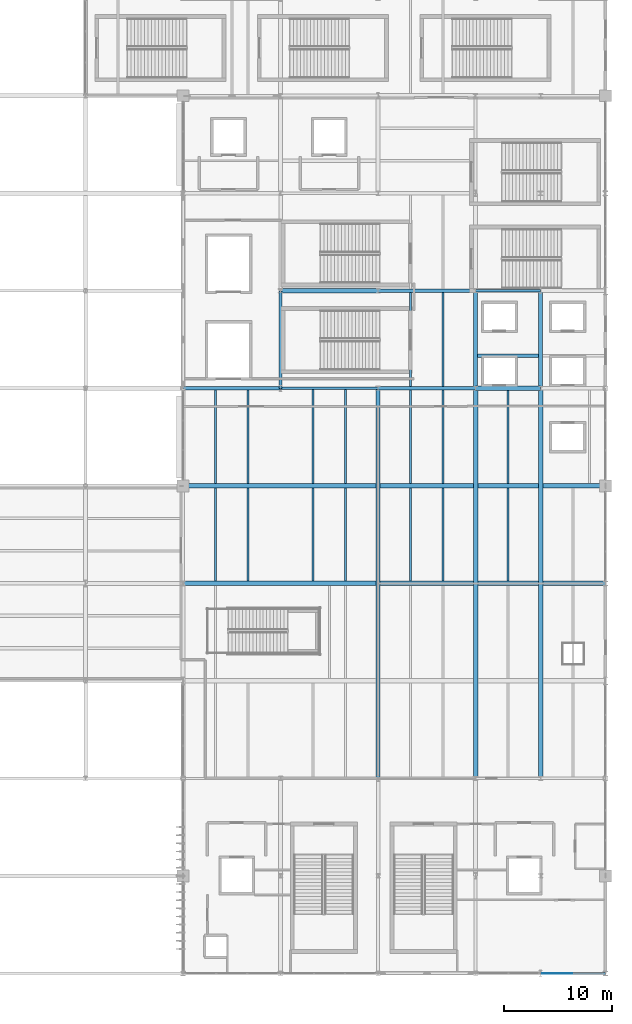
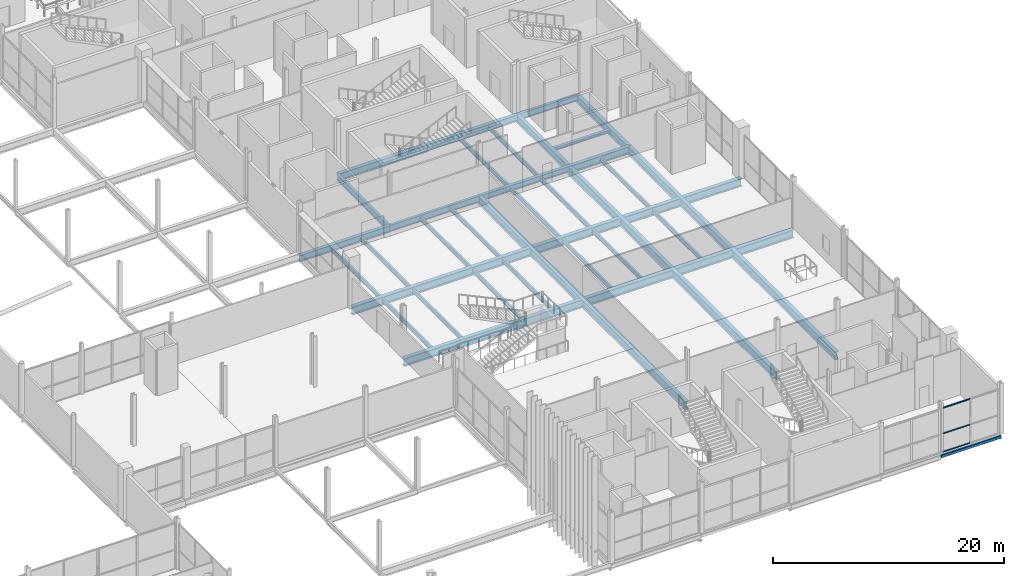
# One storey, part 50 of 119: 33 beams, 3 members, 1 element without a shape of its own.
"""IFC4 building model written with IfcOpenShell, lengths in metres."""

from ifc_helpers import new_model, si_unit, direction, frame, origin, origin_2d, place, context, subcontext, project, spatial, rectangle, hollow_rectangle, i_section, extrude, material, layer, layer_set, material_profile, profile_set, type_object, element, aggregate, save


model = new_model("IFC4")

# Units and contexts
model_context = context("Model", 3, precision=1e-05, world=origin(), true_north=direction((0.0, 1.0)))
body_context = subcontext(model_context, "Body", "Model", "MODEL_VIEW")
ifc_project = project(units=[si_unit("LENGTHUNIT", "METRE"), si_unit("AREAUNIT", "SQUARE_METRE"), si_unit("VOLUMEUNIT", "CUBIC_METRE"), si_unit("PLANEANGLEUNIT", "RADIAN"), si_unit("MASSUNIT", "GRAM", prefix="KILO")], contexts=[model_context])

# Site, building, storey
site_placement = place(None, origin())
site = spatial("IfcSite", under=ifc_project, at=site_placement, CompositionType="ELEMENT")
building_placement = place(site_placement, origin())
building = spatial("IfcBuilding", under=site, at=building_placement, Name="Qamarlyn Nura Convention Centre", CompositionType="ELEMENT")
storey_placement = place(building_placement, frame((0.0, 0.0, 5.39990234375)))
storey = spatial("IfcBuildingStorey", under=building, at=storey_placement, Name="L01", CompositionType="ELEMENT", Elevation=5.39990234375)

# Beams
ifc_material_1 = material(Name="Steel ASTM A992", Category="steel")
ifc_material_profile_1 = material_profile(ifc_material_1, i_section(OverallWidth=0.323974609375, OverallDepth=0.611083984375, WebThickness=0.0126953125, FlangeThickness=0.01904296875, FilletRadius=0.01611328125, at=origin_2d()), Name="W610X155")
ifc_profile_set_1 = profile_set([ifc_material_profile_1], Name="Steel ASTM A992")
beam_type_1 = type_object("IfcBeamType", Name="BM-GIRD-610", PredefinedType="BEAM", material=ifc_profile_set_1)
beam_1_placement = place(storey_placement, frame((171.0, 54.0, -0.525390625), z_axis=(1.0, 0.0, 0.0), x_axis=(0.0, 1.0, 0.0)))
element("IfcBeam", 1, at=beam_1_placement, inside=storey, type_object=beam_type_1, Name="L01 girder G 15-16", PredefinedType="BEAM", context=body_context, shape_type="SweptSolid", body=[
    extrude(i_section(OverallWidth=0.323974609375, OverallDepth=0.611083984375, WebThickness=0.0126953125, FlangeThickness=0.01904296875, FilletRadius=0.01611328125, at=origin_2d()), origin(), (0.0, 0.0, 1.0), 9.0),
])
ifc_material_profile_2 = material_profile(ifc_material_1, i_section(OverallWidth=0.35498046875, OverallDepth=0.695068359375, WebThickness=0.015380859375, FlangeThickness=0.02490234375, FilletRadius=0.01806640625, at=origin_2d()), Name="W690X217")
ifc_profile_set_2 = profile_set([ifc_material_profile_2], Name="Steel ASTM A992")
beam_type_2 = type_object("IfcBeamType", Name="BM-GIRD-690A", PredefinedType="BEAM", material=ifc_profile_set_2)
for number, where, z_axis, x_axis, name in (
    (2, (153.0, 54.0, -0.5673828125), (1.0, 0.0, 0.0), (0.0, 1.0, 0.0), "L01 girder G 13-14"),
    (3, (171.0, 63.0, -0.5673828125), (1.0, 0.0, 0.0), (0.0, 1.0, 0.0), "L01 girder H 15-16"),
):
    element("IfcBeam", number, at=place(storey_placement, frame(where, z_axis=z_axis, x_axis=x_axis)), inside=storey, type_object=beam_type_2, Name=name, PredefinedType="BEAM", context=body_context, shape_type="SweptSolid", body=[
        extrude(i_section(OverallWidth=0.35498046875, OverallDepth=0.695068359375, WebThickness=0.015380859375, FlangeThickness=0.02490234375, FilletRadius=0.01806640625, at=origin_2d()), origin(), (0.0, 0.0, 1.0), 9.0),
    ])
ifc_material_profile_3 = material_profile(ifc_material_1, i_section(OverallWidth=0.25390625, OverallDepth=0.68408203125, WebThickness=0.012451171875, FlangeThickness=0.01904296875, FilletRadius=0.01806640625, at=origin_2d()), Name="W690X140")
ifc_profile_set_3 = profile_set([ifc_material_profile_3], Name="Steel ASTM A992")
beam_type_3 = type_object("IfcBeamType", Name="BM-GIRD-690B", PredefinedType="BEAM", material=ifc_profile_set_3)
beam_2_placement = place(storey_placement, frame((162.0, 54.0, -0.56201171875), z_axis=(1.0, 0.0, 0.0), x_axis=(0.0, 1.0, 0.0)))
element("IfcBeam", 4, at=beam_2_placement, inside=storey, type_object=beam_type_3, Name="L01 girder G 14-15", PredefinedType="BEAM", context=body_context, shape_type="SweptSolid", body=[
    extrude(i_section(OverallWidth=0.25390625, OverallDepth=0.68408203125, WebThickness=0.012451171875, FlangeThickness=0.01904296875, FilletRadius=0.01806640625, at=origin_2d()), origin(), (0.0, 0.0, 1.0), 9.0),
])
beam_3_placement = place(storey_placement, frame((180.0, 63.0, -0.56201171875), z_axis=(1.0, 0.0, 0.0), x_axis=(0.0, 1.0, 0.0)))
element("IfcBeam", 5, at=beam_3_placement, inside=storey, type_object=beam_type_3, Name="L01 girder H 16-17", PredefinedType="BEAM", context=body_context, shape_type="SweptSolid", body=[
    extrude(i_section(OverallWidth=0.25390625, OverallDepth=0.68408203125, WebThickness=0.012451171875, FlangeThickness=0.01904296875, FilletRadius=0.01806640625, at=origin_2d()), origin(), (0.0, 0.0, 1.0), 6.0),
])
beam_4_placement = place(storey_placement, frame((162.0, 54.0, -0.56201171875), z_axis=(0.0, 1.0, 0.0), x_axis=(-1.0, 0.0, 0.0)))
element("IfcBeam", 6, at=beam_4_placement, inside=storey, type_object=beam_type_3, Name="L01 girder 14 G-H", PredefinedType="BEAM", context=body_context, shape_type="SweptSolid", body=[
    extrude(i_section(OverallWidth=0.25390625, OverallDepth=0.68408203125, WebThickness=0.012451171875, FlangeThickness=0.01904296875, FilletRadius=0.01806640625, at=origin_2d()), origin(), (0.0, 0.0, 1.0), 9.0),
])
ifc_material_profile_4 = material_profile(ifc_material_1, i_section(OverallWidth=0.381103515625, OverallDepth=0.77294921875, WebThickness=0.0166015625, FlangeThickness=0.027587890625, FilletRadius=0.02001953125, at=origin_2d()), Name="W760X257")
ifc_profile_set_4 = profile_set([ifc_material_profile_4], Name="Steel ASTM A992")
beam_type_4 = type_object("IfcBeamType", Name="BM-GIRD-760", PredefinedType="BEAM", material=ifc_profile_set_4)
beam_5_placement = place(storey_placement, frame((180.0, 54.0, -0.6064453125), z_axis=(1.0, 0.0, 0.0), x_axis=(0.0, 1.0, 0.0)))
element("IfcBeam", 7, at=beam_5_placement, inside=storey, type_object=beam_type_4, Name="L01 girder G 16-17", PredefinedType="BEAM", context=body_context, shape_type="SweptSolid", body=[
    extrude(i_section(OverallWidth=0.381103515625, OverallDepth=0.77294921875, WebThickness=0.0166015625, FlangeThickness=0.027587890625, FilletRadius=0.02001953125, at=origin_2d()), origin(), (0.0, 0.0, 1.0), 6.0),
])
for number, where, z_axis, x_axis, name in (
    (8, (162.0, 63.0, -0.6064453125), (1.0, 0.0, 0.0), (0.0, 1.0, 0.0), "L01 girder H 14-15"),
    (9, (180.0, 54.0, -0.6064453125), (0.0, 1.0, 0.0), (-1.0, 0.0, 0.0), "L01 girder 16 G-H"),
    (10, (186.0, 54.0, -0.6064453125), (0.0, 1.0, 0.0), (-1.0, 0.0, 0.0), "L01 girder 17 G-H"),
):
    element("IfcBeam", number, at=place(storey_placement, frame(where, z_axis=z_axis, x_axis=x_axis)), inside=storey, type_object=beam_type_4, Name=name, PredefinedType="BEAM", context=body_context, shape_type="SweptSolid", body=[
        extrude(i_section(OverallWidth=0.381103515625, OverallDepth=0.77294921875, WebThickness=0.0166015625, FlangeThickness=0.027587890625, FilletRadius=0.02001953125, at=origin_2d()), origin(), (0.0, 0.0, 1.0), 9.0),
    ])
ifc_material_profile_5 = material_profile(ifc_material_1, i_section(OverallWidth=0.39990234375, OverallDepth=0.85498046875, WebThickness=0.018310546875, FlangeThickness=0.029296875, FilletRadius=0.02197265625, at=origin_2d()), Name="W840X299")
ifc_profile_set_5 = profile_set([ifc_material_profile_5], Name="Steel ASTM A992")
beam_type_5 = type_object("IfcBeamType", Name="BM-GIRD-840", PredefinedType="BEAM", material=ifc_profile_set_5)
for number, where, z_axis, x_axis, name in (
    (11, (153.0, 36.0, -0.6474609375), (1.0, 0.0, 0.0), (0.0, 1.0, 0.0), "L01 girder E 13-18"),
    (12, (153.0, 45.0, -0.6474609375), (1.0, 0.0, 0.0), (0.0, 1.0, 0.0), "L01 girder F 13-18"),
):
    element("IfcBeam", number, at=place(storey_placement, frame(where, z_axis=z_axis, x_axis=x_axis)), inside=storey, type_object=beam_type_5, Name=name, PredefinedType="BEAM", context=body_context, shape_type="SweptSolid", body=[
        extrude(i_section(OverallWidth=0.39990234375, OverallDepth=0.85498046875, WebThickness=0.018310546875, FlangeThickness=0.029296875, FilletRadius=0.02197265625, at=origin_2d()), origin(), (0.0, 0.0, 1.0), 39.0),
    ])
for number, where, z_axis, x_axis, name in (
    (13, (171.0, 18.0, -0.6474609375), (0.0, 1.0, 0.0), (-1.0, 0.0, 0.0), "L01 girder 15 C-G"),
    (14, (180.0, 18.0, -0.6474609375), (0.0, 1.0, 0.0), (-1.0, 0.0, 0.0), "L01 girder 16 C-G"),
    (15, (186.0, 18.0, -0.6474609375), (0.0, 1.0, 0.0), (-1.0, 0.0, 0.0), "L01 girder 17 C-G"),
):
    element("IfcBeam", number, at=place(storey_placement, frame(where, z_axis=z_axis, x_axis=x_axis)), inside=storey, type_object=beam_type_5, Name=name, PredefinedType="BEAM", context=body_context, shape_type="SweptSolid", body=[
        extrude(i_section(OverallWidth=0.39990234375, OverallDepth=0.85498046875, WebThickness=0.018310546875, FlangeThickness=0.029296875, FilletRadius=0.02197265625, at=origin_2d()), origin(), (0.0, 0.0, 1.0), 36.0),
    ])
ifc_material_profile_6 = material_profile(ifc_material_1, i_section(OverallWidth=0.304931640625, OverallDepth=0.30810546875, WebThickness=0.010009765625, FlangeThickness=0.015380859375, FilletRadius=0.014892578125, at=origin_2d()), Name="W310X97")
ifc_profile_set_6 = profile_set([ifc_material_profile_6], Name="Steel ASTM A992")
beam_type_6 = type_object("IfcBeamType", Name="BM-JOIST-310", PredefinedType="JOIST", material=ifc_profile_set_6)
beam_6_placement = place(storey_placement, frame((180.1904296875, 57.0, -0.3740234375), z_axis=(1.0, 0.0, 0.0), x_axis=(0.0, 1.0, 0.0)))
element("IfcBeam", 16, at=beam_6_placement, inside=storey, type_object=beam_type_6, Name="L01 composite joist 16-17/G+1", PredefinedType="JOIST", context=body_context, shape_type="SweptSolid", body=[
    extrude(i_section(OverallWidth=0.304931640625, OverallDepth=0.30810546875, WebThickness=0.010009765625, FlangeThickness=0.015380859375, FilletRadius=0.014892578125, at=origin_2d()), origin(), (0.0, 0.0, 1.0), 5.619140625),
])
ifc_material_profile_7 = material_profile(ifc_material_1, i_section(OverallWidth=0.18994140625, OverallDepth=0.45703125, WebThickness=0.009033203125, FlangeThickness=0.014404296875, FilletRadius=0.012939453125, at=origin_2d()), Name="W460X74")
ifc_profile_set_7 = profile_set([ifc_material_profile_7], Name="Steel ASTM A992")
beam_type_7 = type_object("IfcBeamType", Name="BM-JOIST-460", PredefinedType="JOIST", material=ifc_profile_set_7)
for number, where, z_axis, x_axis, name in (
    (17, (156.0, 36.199951171875, -0.448486328125), (0.0, 1.0, 0.0), (-1.0, 0.0, 0.0), "L01 secondary joist 13-14/E-F-08"),
    (18, (159.0, 36.199951171875, -0.448486328125), (0.0, 1.0, 0.0), (-1.0, 0.0, 0.0), "L01 secondary joist 13-14/E-F-09"),
):
    element("IfcBeam", number, at=place(storey_placement, frame(where, z_axis=z_axis, x_axis=x_axis)), inside=storey, type_object=beam_type_7, Name=name, PredefinedType="JOIST", context=body_context, shape_type="SweptSolid", body=[
        extrude(i_section(OverallWidth=0.18994140625, OverallDepth=0.45703125, WebThickness=0.009033203125, FlangeThickness=0.014404296875, FilletRadius=0.012939453125, at=origin_2d()), origin(), (0.0, 0.0, 1.0), 8.60009765625),
    ])
for number, where, z_axis, x_axis, name in (
    (19, (156.0, 45.199951171875, -0.448486328125), (0.0, 1.0, 0.0), (-1.0, 0.0, 0.0), "L01 secondary joist 13-14/F-G-10"),
    (20, (159.0, 45.199951171875, -0.448486328125), (0.0, 1.0, 0.0), (-1.0, 0.0, 0.0), "L01 secondary joist 13-14/F-G-11"),
):
    element("IfcBeam", number, at=place(storey_placement, frame(where, z_axis=z_axis, x_axis=x_axis)), inside=storey, type_object=beam_type_7, Name=name, PredefinedType="JOIST", context=body_context, shape_type="SweptSolid", body=[
        extrude(i_section(OverallWidth=0.18994140625, OverallDepth=0.45703125, WebThickness=0.009033203125, FlangeThickness=0.014404296875, FilletRadius=0.012939453125, at=origin_2d()), origin(), (0.0, 0.0, 1.0), 8.62255859375),
    ])
for number, where, z_axis, x_axis, name in (
    (21, (165.0, 36.199951171875, -0.448486328125), (0.0, 1.0, 0.0), (-1.0, 0.0, 0.0), "L01 secondary joist 14-15/E-F-18"),
    (22, (168.0, 36.199951171875, -0.448486328125), (0.0, 1.0, 0.0), (-1.0, 0.0, 0.0), "L01 secondary joist 14-15/E-F-19"),
):
    element("IfcBeam", number, at=place(storey_placement, frame(where, z_axis=z_axis, x_axis=x_axis)), inside=storey, type_object=beam_type_7, Name=name, PredefinedType="JOIST", context=body_context, shape_type="SweptSolid", body=[
        extrude(i_section(OverallWidth=0.18994140625, OverallDepth=0.45703125, WebThickness=0.009033203125, FlangeThickness=0.014404296875, FilletRadius=0.012939453125, at=origin_2d()), origin(), (0.0, 0.0, 1.0), 8.60009765625),
    ])
for number, where, z_axis, x_axis, name in (
    (23, (165.0, 45.199951171875, -0.448486328125), (0.0, 1.0, 0.0), (-1.0, 0.0, 0.0), "L01 secondary joist 14-15/F-G-20"),
    (24, (168.0, 45.199951171875, -0.448486328125), (0.0, 1.0, 0.0), (-1.0, 0.0, 0.0), "L01 secondary joist 14-15/F-G-21"),
):
    element("IfcBeam", number, at=place(storey_placement, frame(where, z_axis=z_axis, x_axis=x_axis)), inside=storey, type_object=beam_type_7, Name=name, PredefinedType="JOIST", context=body_context, shape_type="SweptSolid", body=[
        extrude(i_section(OverallWidth=0.18994140625, OverallDepth=0.45703125, WebThickness=0.009033203125, FlangeThickness=0.014404296875, FilletRadius=0.012939453125, at=origin_2d()), origin(), (0.0, 0.0, 1.0), 8.673095703125),
    ])
for number, where, z_axis, x_axis, name in (
    (25, (174.0, 36.199951171875, -0.448486328125), (0.0, 1.0, 0.0), (-1.0, 0.0, 0.0), "L01 secondary joist 15-16/E-F-26"),
    (26, (177.0, 36.199951171875, -0.448486328125), (0.0, 1.0, 0.0), (-1.0, 0.0, 0.0), "L01 secondary joist 15-16/E-F-27"),
):
    element("IfcBeam", number, at=place(storey_placement, frame(where, z_axis=z_axis, x_axis=x_axis)), inside=storey, type_object=beam_type_7, Name=name, PredefinedType="JOIST", context=body_context, shape_type="SweptSolid", body=[
        extrude(i_section(OverallWidth=0.18994140625, OverallDepth=0.45703125, WebThickness=0.009033203125, FlangeThickness=0.014404296875, FilletRadius=0.012939453125, at=origin_2d()), origin(), (0.0, 0.0, 1.0), 8.60009765625),
    ])
for number, where, z_axis, x_axis, name in (
    (27, (174.0, 45.199951171875, -0.448486328125), (0.0, 1.0, 0.0), (-1.0, 0.0, 0.0), "L01 secondary joist 15-16/F-G-28"),
    (28, (177.0, 45.199951171875, -0.448486328125), (0.0, 1.0, 0.0), (-1.0, 0.0, 0.0), "L01 secondary joist 15-16/F-G-29"),
):
    element("IfcBeam", number, at=place(storey_placement, frame(where, z_axis=z_axis, x_axis=x_axis)), inside=storey, type_object=beam_type_7, Name=name, PredefinedType="JOIST", context=body_context, shape_type="SweptSolid", body=[
        extrude(i_section(OverallWidth=0.18994140625, OverallDepth=0.45703125, WebThickness=0.009033203125, FlangeThickness=0.014404296875, FilletRadius=0.012939453125, at=origin_2d()), origin(), (0.0, 0.0, 1.0), 8.637939453125),
    ])
for number, where, z_axis, x_axis, name in (
    (29, (174.0, 54.162109375, -0.448486328125), (0.0, 1.0, 0.0), (-1.0, 0.0, 0.0), "L01 secondary joist 15-16/G-H-30"),
    (30, (177.0, 54.162109375, -0.448486328125), (0.0, 1.0, 0.0), (-1.0, 0.0, 0.0), "L01 secondary joist 15-16/G-H-31"),
):
    element("IfcBeam", number, at=place(storey_placement, frame(where, z_axis=z_axis, x_axis=x_axis)), inside=storey, type_object=beam_type_7, Name=name, PredefinedType="JOIST", context=body_context, shape_type="SweptSolid", body=[
        extrude(i_section(OverallWidth=0.18994140625, OverallDepth=0.45703125, WebThickness=0.009033203125, FlangeThickness=0.014404296875, FilletRadius=0.012939453125, at=origin_2d()), origin(), (0.0, 0.0, 1.0), 8.660400390625),
    ])
beam_7_placement = place(storey_placement, frame((183.0, 36.199951171875, -0.448486328125), z_axis=(0.0, 1.0, 0.0), x_axis=(-1.0, 0.0, 0.0)))
element("IfcBeam", 31, at=beam_7_placement, inside=storey, type_object=beam_type_7, Name="L01 secondary joist 16-17/E-F-38", PredefinedType="JOIST", context=body_context, shape_type="SweptSolid", body=[
    extrude(i_section(OverallWidth=0.18994140625, OverallDepth=0.45703125, WebThickness=0.009033203125, FlangeThickness=0.014404296875, FilletRadius=0.012939453125, at=origin_2d()), origin(), (0.0, 0.0, 1.0), 8.60009765625),
])
beam_8_placement = place(storey_placement, frame((183.0, 45.199951171875, -0.448486328125), z_axis=(0.0, 1.0, 0.0), x_axis=(-1.0, 0.0, 0.0)))
element("IfcBeam", 32, at=beam_8_placement, inside=storey, type_object=beam_type_7, Name="L01 secondary joist 16-17/F-G-39", PredefinedType="JOIST", context=body_context, shape_type="SweptSolid", body=[
    extrude(i_section(OverallWidth=0.18994140625, OverallDepth=0.45703125, WebThickness=0.009033203125, FlangeThickness=0.014404296875, FilletRadius=0.012939453125, at=origin_2d()), origin(), (0.0, 0.0, 1.0), 8.609619140625),
])
ifc_material_2 = material(Name="Steel ASTM A500 Grade C", Category="steel")
ifc_material_profile_8 = material_profile(ifc_material_2, hollow_rectangle(XDim=0.199951171875, YDim=0.300048828125, WallThickness=0.012451171875, InnerFilletRadius=0.012451171875, OuterFilletRadius=0.02490234375, at=origin_2d()), Name="HSS300X200X12.5")
ifc_profile_set_8 = profile_set([ifc_material_profile_8], Name="Steel ASTM A500 Grade C")
beam_type_8 = type_object("IfcBeamType", Name="BM-SPAN-HSS", PredefinedType="SPANDREL", material=ifc_profile_set_8)
beam_9_placement = place(storey_placement, frame((186.0, 0.0, -0.369873046875), z_axis=(1.0, 0.0, 0.0), x_axis=(0.0, 1.0, 0.0)))
element("IfcBeam", 33, at=beam_9_placement, inside=storey, type_object=beam_type_8, Name="L01 girder A 17-18", PredefinedType="SPANDREL", context=body_context, shape_type="SweptSolid", body=[
    extrude(hollow_rectangle(XDim=0.199951171875, YDim=0.300048828125, WallThickness=0.012451171875, InnerFilletRadius=0.012451171875, OuterFilletRadius=0.02490234375, at=origin_2d()), origin(), (0.0, 0.0, 1.0), 6.0),
])

# Curtain wall, members
ifc_material_3 = material(Name="Double-silver low-E insulated glass", Category="glass")
ifc_layer = layer(ifc_material_3, 0.179931640625, Name="CW-UNIT-79")
ifc_layer_set = layer_set([ifc_layer], Name="Double-silver low-E insulated glass")
curtain_wall_type = type_object("IfcCurtainWallType", Name="CW-UNIT-79", PredefinedType="NOTDEFINED", material=ifc_layer_set)
curtain_wall_placement = place(storey_placement, origin())
curtain_wall = element("IfcCurtainWall", 34, at=curtain_wall_placement, inside=storey, type_object=curtain_wall_type, Name="L01 unitised curtain wall STH-5-1", PredefinedType="NOTDEFINED")
ifc_material_4 = material(Name="Champagne-anodised marine aluminium", Category="aluminium")
ifc_material_profile_9 = material_profile(ifc_material_4, rectangle(XDim=0.06494140625, YDim=0.1201171875, at=origin_2d()), Name="ALU TRANSOM 65x120")
ifc_profile_set_9 = profile_set([ifc_material_profile_9], Name="Champagne-anodised marine aluminium")
member_type = type_object("IfcMemberType", Name="CWT-120", PredefinedType="USERDEFINED", material=ifc_profile_set_9)
member_1_placement = place(storey_placement, frame((188.91796875, 0.0, 0.03271484375), z_axis=(-1.0, 0.0, 0.0), x_axis=(0.0, -1.0, 0.0)))
member_1 = element("IfcMember", 35, at=member_1_placement, type_object=member_type, Name="CW79 transom 2.1", ObjectType="TRANSOM", PredefinedType="USERDEFINED", context=body_context, shape_type="SweptSolid", body=[
    extrude(rectangle(XDim=0.06494140625, YDim=0.1201171875, at=origin_2d()), origin(), (0.0, 0.0, 1.0), 2.74755859375),
])
member_2_placement = place(storey_placement, frame((188.91796875, 0.0, 1.97412109375), z_axis=(-1.0, 0.0, 0.0), x_axis=(0.0, -1.0, 0.0)))
member_2 = element("IfcMember", 36, at=member_2_placement, type_object=member_type, Name="CW79 transom 2.2", ObjectType="TRANSOM", PredefinedType="USERDEFINED", context=body_context, shape_type="SweptSolid", body=[
    extrude(rectangle(XDim=0.06494140625, YDim=0.1201171875, at=origin_2d()), origin(), (0.0, 0.0, 1.0), 2.74755859375),
])
member_3_placement = place(storey_placement, frame((188.91796875, 0.0, 4.66650390625), z_axis=(-1.0, 0.0, 0.0), x_axis=(0.0, -1.0, 0.0)))
member_3 = element("IfcMember", 37, at=member_3_placement, type_object=member_type, Name="CW79 transom 2.3", ObjectType="TRANSOM", PredefinedType="USERDEFINED", context=body_context, shape_type="SweptSolid", body=[
    extrude(rectangle(XDim=0.06494140625, YDim=0.1201171875, at=origin_2d()), origin(), (0.0, 0.0, 1.0), 2.74755859375),
])
aggregate(curtain_wall, [member_1, member_2, member_3])

save(model, "model.ifc")
